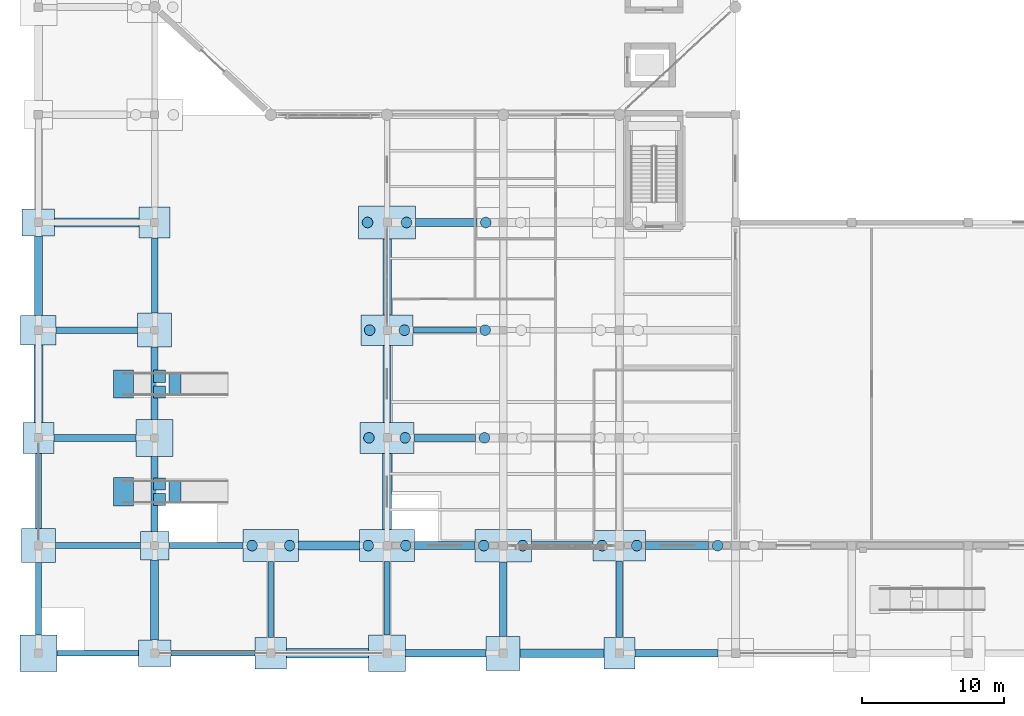
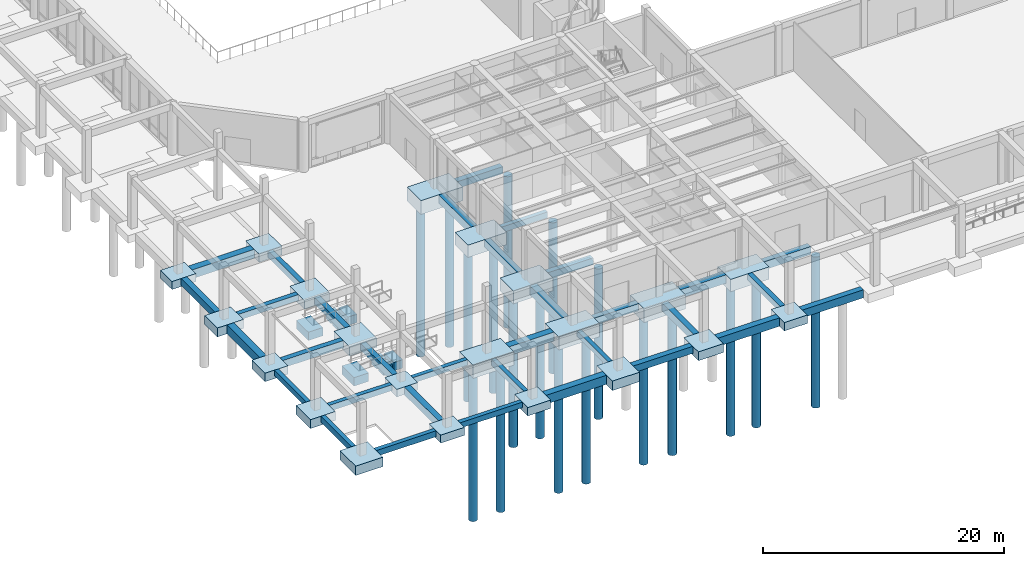
# One storey, part 1 of 64: 62 footings, 18 piles.
"""IFC4 building model written with IfcOpenShell, lengths in metres."""

from ifc_helpers import new_model, si_unit, direction, frame, origin, origin_2d, place, context, subcontext, project, spatial, rectangle, circle, extrude, material, material_profile, profile_set, type_object, element, save


model = new_model("IFC4")

# Units and contexts
model_context = context("Model", 3, precision=1e-05, world=origin(), true_north=direction((0.0, 1.0)))
body_context = subcontext(model_context, "Body", "Model", "MODEL_VIEW")
ifc_project = project(units=[si_unit("LENGTHUNIT", "METRE"), si_unit("AREAUNIT", "SQUARE_METRE"), si_unit("VOLUMEUNIT", "CUBIC_METRE"), si_unit("PLANEANGLEUNIT", "RADIAN"), si_unit("MASSUNIT", "GRAM", prefix="KILO")], contexts=[model_context])

# Site, building, storey
site_placement = place(None, origin())
site = spatial("IfcSite", under=ifc_project, at=site_placement, CompositionType="ELEMENT")
building_placement = place(site_placement, origin())
building = spatial("IfcBuilding", under=site, at=building_placement, Name="Qandaris Square Conservatory and Botanical Centre", CompositionType="ELEMENT")
storey_placement = place(building_placement, origin())
storey = spatial("IfcBuildingStorey", under=building, at=storey_placement, Name="L00", CompositionType="ELEMENT", Elevation=0.0)

# Piles
ifc_material_1 = material(Name="Concrete C50/60", Category="concrete")
ifc_material_profile_1 = material_profile(ifc_material_1, circle(Radius=0.375, at=origin_2d()), Name="PILE D750")
ifc_profile_set_1 = profile_set([ifc_material_profile_1], Name="Concrete C50/60")
pile_type = type_object("IfcPileType", Name="Bored Pile D750", PredefinedType="BORED", material=ifc_profile_set_1)
for number, where, z_axis, x_axis, name in (
    (1, (23.074951171875, 16.60009765625, -1.25), (0.0, 0.0, -1.0), (1.0, 0.0, 0.0), "Bored Pile B3-1"),
    (2, (25.72509765625, 16.60009765625, -1.25), (0.0, 0.0, -1.0), (1.0, 0.0, 0.0), "Bored Pile B3-2"),
    (3, (31.27490234375, 16.60009765625, -1.25), (0.0, 0.0, -1.0), (1.0, 0.0, 0.0), "Bored Pile B4-1"),
    (4, (33.925048828125, 16.60009765625, -1.25), (0.0, 0.0, -1.0), (1.0, 0.0, 0.0), "Bored Pile B4-2"),
):
    element("IfcPile", number, at=place(storey_placement, frame(where, z_axis=z_axis, x_axis=x_axis)), inside=storey, type_object=pile_type, Name=name, PredefinedType="BORED", context=body_context, shape_type="SweptSolid", body=[
        extrude(circle(Radius=0.375, at=origin_2d()), origin(), (0.0, 0.0, 1.0), 15.25),
    ])
for number, where, z_axis, x_axis, name in (
    (5, (31.324951171875, 24.199951171875, -1.199951171875), (0.0, 0.0, -1.0), (1.0, 0.0, 0.0), "Bored Pile C4-1"),
    (6, (33.875, 24.199951171875, -1.199951171875), (0.0, 0.0, -1.0), (1.0, 0.0, 0.0), "Bored Pile C4-2"),
):
    element("IfcPile", number, at=place(storey_placement, frame(where, z_axis=z_axis, x_axis=x_axis)), inside=storey, type_object=pile_type, Name=name, PredefinedType="BORED", context=body_context, shape_type="SweptSolid", body=[
        extrude(circle(Radius=0.375, at=origin_2d()), origin(), (0.0, 0.0, 1.0), 15.300048828125),
    ])
for number, where, z_axis, x_axis, name in (
    (7, (31.375, 31.800048828125, -1.14990234375), (0.0, 0.0, -1.0), (1.0, 0.0, 0.0), "Bored Pile D4-1"),
    (8, (33.824951171875, 31.800048828125, -1.14990234375), (0.0, 0.0, -1.0), (1.0, 0.0, 0.0), "Bored Pile D4-2"),
):
    element("IfcPile", number, at=place(storey_placement, frame(where, z_axis=z_axis, x_axis=x_axis)), inside=storey, type_object=pile_type, Name=name, PredefinedType="BORED", context=body_context, shape_type="SweptSolid", body=[
        extrude(circle(Radius=0.375, at=origin_2d()), origin(), (0.0, 0.0, 1.0), 15.35009765625),
    ])
for number, where, z_axis, x_axis, name in (
    (9, (31.22509765625, 39.39990234375, -1.300048828125), (0.0, 0.0, -1.0), (1.0, 0.0, 0.0), "Bored Pile E4-1"),
    (10, (33.97509765625, 39.39990234375, -1.300048828125), (0.0, 0.0, -1.0), (1.0, 0.0, 0.0), "Bored Pile E4-2"),
    (11, (39.425048828125, 16.60009765625, -1.300048828125), (0.0, 0.0, -1.0), (1.0, 0.0, 0.0), "Bored Pile B5-1"),
    (12, (42.175048828125, 16.60009765625, -1.300048828125), (0.0, 0.0, -1.0), (1.0, 0.0, 0.0), "Bored Pile B5-2"),
):
    element("IfcPile", number, at=place(storey_placement, frame(where, z_axis=z_axis, x_axis=x_axis)), inside=storey, type_object=pile_type, Name=name, PredefinedType="BORED", context=body_context, shape_type="SweptSolid", body=[
        extrude(circle(Radius=0.375, at=origin_2d()), origin(), (0.0, 0.0, 1.0), 15.199951171875),
    ])
pile_1_placement = place(storey_placement, frame((39.47509765625, 24.199951171875, -1.25), z_axis=(0.0, 0.0, -1.0), x_axis=(1.0, 0.0, 0.0)))
element("IfcPile", 13, at=pile_1_placement, inside=storey, type_object=pile_type, Name="Bored Pile C5-1", PredefinedType="BORED", context=body_context, shape_type="SweptSolid", body=[
    extrude(circle(Radius=0.375, at=origin_2d()), origin(), (0.0, 0.0, 1.0), 15.25),
])
pile_2_placement = place(storey_placement, frame((39.52490234375, 31.800048828125, -1.199951171875), z_axis=(0.0, 0.0, -1.0), x_axis=(1.0, 0.0, 0.0)))
element("IfcPile", 14, at=pile_2_placement, inside=storey, type_object=pile_type, Name="Bored Pile D5-1", PredefinedType="BORED", context=body_context, shape_type="SweptSolid", body=[
    extrude(circle(Radius=0.375, at=origin_2d()), origin(), (0.0, 0.0, 1.0), 15.300048828125),
])
for number, where, z_axis, x_axis, name in (
    (15, (39.574951171875, 39.39990234375, -1.14990234375), (0.0, 0.0, -1.0), (1.0, 0.0, 0.0), "Bored Pile E5-1"),
    (16, (47.77490234375, 16.60009765625, -1.14990234375), (0.0, 0.0, -1.0), (1.0, 0.0, 0.0), "Bored Pile B6-1"),
    (17, (50.22509765625, 16.60009765625, -1.14990234375), (0.0, 0.0, -1.0), (1.0, 0.0, 0.0), "Bored Pile B6-2"),
):
    element("IfcPile", number, at=place(storey_placement, frame(where, z_axis=z_axis, x_axis=x_axis)), inside=storey, type_object=pile_type, Name=name, PredefinedType="BORED", context=body_context, shape_type="SweptSolid", body=[
        extrude(circle(Radius=0.375, at=origin_2d()), origin(), (0.0, 0.0, 1.0), 15.35009765625),
    ])
pile_3_placement = place(storey_placement, frame((55.925048828125, 16.60009765625, -1.199951171875), z_axis=(0.0, 0.0, -1.0), x_axis=(1.0, 0.0, 0.0)))
element("IfcPile", 18, at=pile_3_placement, inside=storey, type_object=pile_type, Name="Bored Pile B7-1", PredefinedType="BORED", context=body_context, shape_type="SweptSolid", body=[
    extrude(circle(Radius=0.375, at=origin_2d()), origin(), (0.0, 0.0, 1.0), 15.300048828125),
])

# Footings
ifc_material_2 = material(Name="Concrete C40/50", Category="concrete")
ifc_material_profile_2 = material_profile(ifc_material_2, rectangle(XDim=0.60009765625, YDim=0.85009765625, at=origin_2d()), Name="FB 600x850")
ifc_profile_set_2 = profile_set([ifc_material_profile_2], Name="Concrete C40/50")
footing_type_1 = type_object("IfcFootingType", Name="RC Ground Tie Beam FB-01", PredefinedType="FOOTING_BEAM", material=ifc_profile_set_2)
footing_1_placement = place(storey_placement, frame((42.0, 9.0, -0.425048828125), z_axis=(1.0, 0.0, 0.0), x_axis=(0.0, 1.0, 0.0)))
element("IfcFooting", 19, at=footing_1_placement, inside=storey, type_object=footing_type_1, Name="Ground Tie Beam FB-01-191", PredefinedType="FOOTING_BEAM", context=body_context, shape_type="SweptSolid", body=[
    extrude(rectangle(XDim=0.60009765625, YDim=0.85009765625, at=origin_2d()), origin(), (0.0, 0.0, 1.0), 5.89990234375),
])
footing_2_placement = place(storey_placement, frame((42.800048828125, 16.60009765625, -0.425048828125), z_axis=(1.0, 0.0, 0.0), x_axis=(0.0, 1.0, 0.0)))
element("IfcFooting", 20, at=footing_2_placement, inside=storey, type_object=footing_type_1, Name="Ground Tie Beam FB-01-211", PredefinedType="FOOTING_BEAM", context=body_context, shape_type="SweptSolid", body=[
    extrude(rectangle(XDim=0.60009765625, YDim=0.85009765625, at=origin_2d()), origin(), (0.0, 0.0, 1.0), 4.349853515625),
])
footing_3_placement = place(storey_placement, frame((32.60009765625, 32.875, -0.425048828125), z_axis=(0.0, 1.0, 0.0), x_axis=(-1.0, 0.0, 0.0)))
element("IfcFooting", 21, at=footing_3_placement, inside=storey, type_object=footing_type_1, Name="Ground Tie Beam FB-01-311", PredefinedType="FOOTING_BEAM", context=body_context, shape_type="SweptSolid", body=[
    extrude(rectangle(XDim=0.60009765625, YDim=0.85009765625, at=origin_2d()), origin(), (0.0, 0.0, 1.0), 5.375),
])
ifc_material_profile_3 = material_profile(ifc_material_2, rectangle(XDim=0.550048828125, YDim=0.800048828125, at=origin_2d()), Name="FB 550x800")
ifc_profile_set_3 = profile_set([ifc_material_profile_3], Name="Concrete C40/50")
footing_type_2 = type_object("IfcFootingType", Name="RC Ground Tie Beam FB-02", PredefinedType="FOOTING_BEAM", material=ifc_profile_set_3)
footing_4_placement = place(storey_placement, frame((50.10009765625, 9.0, -0.39990234375), z_axis=(1.0, 0.0, 0.0), x_axis=(0.0, 1.0, 0.0)))
element("IfcFooting", 22, at=footing_4_placement, inside=storey, type_object=footing_type_2, Name="Ground Tie Beam FB-02-192", PredefinedType="FOOTING_BEAM", context=body_context, shape_type="SweptSolid", body=[
    extrude(rectangle(XDim=0.550048828125, YDim=0.800048828125, at=origin_2d()), origin(), (0.0, 0.0, 1.0), 5.849853515625),
])
footing_5_placement = place(storey_placement, frame((50.85009765625, 16.60009765625, -0.39990234375), z_axis=(1.0, 0.0, 0.0), x_axis=(0.0, 1.0, 0.0)))
element("IfcFooting", 23, at=footing_5_placement, inside=storey, type_object=footing_type_2, Name="Ground Tie Beam FB-02-212", PredefinedType="FOOTING_BEAM", context=body_context, shape_type="SweptSolid", body=[
    extrude(rectangle(XDim=0.550048828125, YDim=0.800048828125, at=origin_2d()), origin(), (0.0, 0.0, 1.0), 4.449951171875),
])
footing_6_placement = place(storey_placement, frame((16.199951171875, 9.949951171875, -0.39990234375), z_axis=(0.0, 1.0, 0.0), x_axis=(-1.0, 0.0, 0.0)))
element("IfcFooting", 24, at=footing_6_placement, inside=storey, type_object=footing_type_2, Name="Ground Tie Beam FB-02-292", PredefinedType="FOOTING_BEAM", context=body_context, shape_type="SweptSolid", body=[
    extrude(rectangle(XDim=0.550048828125, YDim=0.800048828125, at=origin_2d()), origin(), (0.0, 0.0, 1.0), 5.650146484375),
])
footing_7_placement = place(storey_placement, frame((40.800048828125, 10.199951171875, -0.39990234375), z_axis=(0.0, 1.0, 0.0), x_axis=(-1.0, 0.0, 0.0)))
element("IfcFooting", 25, at=footing_7_placement, inside=storey, type_object=footing_type_2, Name="Ground Tie Beam FB-02-312", PredefinedType="FOOTING_BEAM", context=body_context, shape_type="SweptSolid", body=[
    extrude(rectangle(XDim=0.550048828125, YDim=0.800048828125, at=origin_2d()), origin(), (0.0, 0.0, 1.0), 5.25),
])
ifc_material_profile_4 = material_profile(ifc_material_2, rectangle(XDim=0.5, YDim=0.75, at=origin_2d()), Name="FB 500x750")
ifc_profile_set_4 = profile_set([ifc_material_profile_4], Name="Concrete C40/50")
footing_type_3 = type_object("IfcFootingType", Name="RC Ground Tie Beam FB-03", PredefinedType="FOOTING_BEAM", material=ifc_profile_set_4)
footing_8_placement = place(storey_placement, frame((9.10009765625, 24.199951171875, -0.375), z_axis=(1.0, 0.0, 0.0), x_axis=(0.0, 1.0, 0.0)))
element("IfcFooting", 26, at=footing_8_placement, inside=storey, type_object=footing_type_3, Name="Ground Tie Beam FB-03-213", PredefinedType="FOOTING_BEAM", context=body_context, shape_type="SweptSolid", body=[
    extrude(rectangle(XDim=0.5, YDim=0.75, at=origin_2d()), origin(), (0.0, 0.0, 1.0), 5.7998046875),
])
footing_9_placement = place(storey_placement, frame((16.199951171875, 17.60009765625, -0.375), z_axis=(0.0, 1.0, 0.0), x_axis=(-1.0, 0.0, 0.0)))
element("IfcFooting", 27, at=footing_9_placement, inside=storey, type_object=footing_type_3, Name="Ground Tie Beam FB-03-293", PredefinedType="FOOTING_BEAM", context=body_context, shape_type="SweptSolid", body=[
    extrude(rectangle(XDim=0.5, YDim=0.75, at=origin_2d()), origin(), (0.0, 0.0, 1.0), 5.2998046875),
])
ifc_material_profile_5 = material_profile(ifc_material_2, rectangle(XDim=0.5, YDim=0.699951171875, at=origin_2d()), Name="FB 500x700")
ifc_profile_set_5 = profile_set([ifc_material_profile_5], Name="Concrete C40/50")
footing_type_4 = type_object("IfcFootingType", Name="RC Ground Tie Beam FB-04", PredefinedType="FOOTING_BEAM", material=ifc_profile_set_5)
footing_10_placement = place(storey_placement, frame((34.5, 24.199951171875, -0.35009765625), z_axis=(1.0, 0.0, 0.0), x_axis=(0.0, 1.0, 0.0)))
element("IfcFooting", 28, at=footing_10_placement, inside=storey, type_object=footing_type_4, Name="Ground Tie Beam FB-04-214", PredefinedType="FOOTING_BEAM", context=body_context, shape_type="SweptSolid", body=[
    extrude(rectangle(XDim=0.5, YDim=0.699951171875, at=origin_2d()), origin(), (0.0, 0.0, 1.0), 4.35009765625),
])
footing_11_placement = place(storey_placement, frame((16.199951171875, 25.5, -0.35009765625), z_axis=(0.0, 1.0, 0.0), x_axis=(-1.0, 0.0, 0.0)))
element("IfcFooting", 29, at=footing_11_placement, inside=storey, type_object=footing_type_4, Name="Ground Tie Beam FB-04-294", PredefinedType="FOOTING_BEAM", context=body_context, shape_type="SweptSolid", body=[
    extrude(rectangle(XDim=0.5, YDim=0.699951171875, at=origin_2d()), origin(), (0.0, 0.0, 1.0), 5.10009765625),
])
ifc_material_profile_6 = material_profile(ifc_material_2, rectangle(XDim=0.449951171875, YDim=0.64990234375, at=origin_2d()), Name="FB 450x650")
ifc_profile_set_6 = profile_set([ifc_material_profile_6], Name="Concrete C40/50")
footing_type_5 = type_object("IfcFootingType", Name="RC Ground Tie Beam FB-05", PredefinedType="FOOTING_BEAM", material=ifc_profile_set_6)
footing_12_placement = place(storey_placement, frame((16.199951171875, 33.0, -0.324951171875), z_axis=(0.0, 1.0, 0.0), x_axis=(-1.0, 0.0, 0.0)))
element("IfcFooting", 30, at=footing_12_placement, inside=storey, type_object=footing_type_5, Name="Ground Tie Beam FB-05-295", PredefinedType="FOOTING_BEAM", context=body_context, shape_type="SweptSolid", body=[
    extrude(rectangle(XDim=0.449951171875, YDim=0.64990234375, at=origin_2d()), origin(), (0.0, 0.0, 1.0), 5.300048828125),
])
ifc_material_profile_7 = material_profile(ifc_material_2, rectangle(XDim=0.449951171875, YDim=0.60009765625, at=origin_2d()), Name="FB 450x600")
ifc_profile_set_7 = profile_set([ifc_material_profile_7], Name="Concrete C40/50")
footing_type_6 = type_object("IfcFootingType", Name="RC Ground Tie Beam FB-06", PredefinedType="FOOTING_BEAM", material=ifc_profile_set_7)
footing_13_placement = place(storey_placement, frame((9.25, 31.800048828125, -0.300048828125), z_axis=(1.0, 0.0, 0.0), x_axis=(0.0, 1.0, 0.0)))
element("IfcFooting", 31, at=footing_13_placement, inside=storey, type_object=footing_type_6, Name="Ground Tie Beam FB-06-216", PredefinedType="FOOTING_BEAM", context=body_context, shape_type="SweptSolid", body=[
    extrude(rectangle(XDim=0.449951171875, YDim=0.60009765625, at=origin_2d()), origin(), (0.0, 0.0, 1.0), 5.75),
])
footing_14_placement = place(storey_placement, frame((49.0, 10.10009765625, -0.300048828125), z_axis=(0.0, 1.0, 0.0), x_axis=(-1.0, 0.0, 0.0)))
element("IfcFooting", 32, at=footing_14_placement, inside=storey, type_object=footing_type_6, Name="Ground Tie Beam FB-06-316", PredefinedType="FOOTING_BEAM", context=body_context, shape_type="SweptSolid", body=[
    extrude(rectangle(XDim=0.449951171875, YDim=0.60009765625, at=origin_2d()), origin(), (0.0, 0.0, 1.0), 5.4248046875),
])
ifc_material_profile_8 = material_profile(ifc_material_2, rectangle(XDim=0.39990234375, YDim=0.60009765625, at=origin_2d()), Name="FB 400x600")
ifc_profile_set_8 = profile_set([ifc_material_profile_8], Name="Concrete C40/50")
footing_type_7 = type_object("IfcFootingType", Name="RC Ground Tie Beam FB-07", PredefinedType="FOOTING_BEAM", material=ifc_profile_set_8)
footing_15_placement = place(storey_placement, frame((9.300048828125, 9.0, -0.300048828125), z_axis=(1.0, 0.0, 0.0), x_axis=(0.0, 1.0, 0.0)))
element("IfcFooting", 33, at=footing_15_placement, inside=storey, type_object=footing_type_7, Name="Ground Tie Beam FB-07-187", PredefinedType="FOOTING_BEAM", context=body_context, shape_type="SweptSolid", body=[
    extrude(rectangle(XDim=0.39990234375, YDim=0.60009765625, at=origin_2d()), origin(), (0.0, 0.0, 1.0), 5.75),
])
footing_16_placement = place(storey_placement, frame((9.199951171875, 16.60009765625, -0.300048828125), z_axis=(1.0, 0.0, 0.0), x_axis=(0.0, 1.0, 0.0)))
element("IfcFooting", 34, at=footing_16_placement, inside=storey, type_object=footing_type_7, Name="Ground Tie Beam FB-07-207", PredefinedType="FOOTING_BEAM", context=body_context, shape_type="SweptSolid", body=[
    extrude(rectangle(XDim=0.39990234375, YDim=0.60009765625, at=origin_2d()), origin(), (0.0, 0.0, 1.0), 6.0),
])
footing_17_placement = place(storey_placement, frame((34.449951171875, 31.800048828125, -0.300048828125), z_axis=(1.0, 0.0, 0.0), x_axis=(0.0, 1.0, 0.0)))
element("IfcFooting", 35, at=footing_17_placement, inside=storey, type_object=footing_type_7, Name="Ground Tie Beam FB-07-217", PredefinedType="FOOTING_BEAM", context=body_context, shape_type="SweptSolid", body=[
    extrude(rectangle(XDim=0.39990234375, YDim=0.60009765625, at=origin_2d()), origin(), (0.0, 0.0, 1.0), 4.449951171875),
])
footing_18_placement = place(storey_placement, frame((8.0, 10.300048828125, -0.300048828125), z_axis=(0.0, 1.0, 0.0), x_axis=(-1.0, 0.0, 0.0)))
element("IfcFooting", 36, at=footing_18_placement, inside=storey, type_object=footing_type_7, Name="Ground Tie Beam FB-07-277", PredefinedType="FOOTING_BEAM", context=body_context, shape_type="SweptSolid", body=[
    extrude(rectangle(XDim=0.39990234375, YDim=0.60009765625, at=origin_2d()), origin(), (0.0, 0.0, 1.0), 5.099853515625),
])
footing_19_placement = place(storey_placement, frame((24.39990234375, 10.10009765625, -0.300048828125), z_axis=(0.0, 1.0, 0.0), x_axis=(-1.0, 0.0, 0.0)))
element("IfcFooting", 37, at=footing_19_placement, inside=storey, type_object=footing_type_7, Name="Ground Tie Beam FB-07-307", PredefinedType="FOOTING_BEAM", context=body_context, shape_type="SweptSolid", body=[
    extrude(rectangle(XDim=0.39990234375, YDim=0.60009765625, at=origin_2d()), origin(), (0.0, 0.0, 1.0), 5.375),
])
ifc_material_profile_9 = material_profile(ifc_material_2, rectangle(XDim=0.39990234375, YDim=0.550048828125, at=origin_2d()), Name="FB 400x550")
ifc_profile_set_9 = profile_set([ifc_material_profile_9], Name="Concrete C40/50")
footing_type_8 = type_object("IfcFootingType", Name="RC Ground Tie Beam FB-08", PredefinedType="FOOTING_BEAM", material=ifc_profile_set_9)
footing_20_placement = place(storey_placement, frame((17.35009765625, 9.0, -0.27490234375), z_axis=(1.0, 0.0, 0.0), x_axis=(0.0, 1.0, 0.0)))
element("IfcFooting", 38, at=footing_20_placement, inside=storey, type_object=footing_type_8, Name="Ground Tie Beam FB-08-188", PredefinedType="FOOTING_BEAM", context=body_context, shape_type="SweptSolid", body=[
    extrude(rectangle(XDim=0.39990234375, YDim=0.550048828125, at=origin_2d()), origin(), (0.0, 0.0, 1.0), 5.949951171875),
])
footing_21_placement = place(storey_placement, frame((17.199951171875, 16.60009765625, -0.27490234375), z_axis=(1.0, 0.0, 0.0), x_axis=(0.0, 1.0, 0.0)))
element("IfcFooting", 39, at=footing_21_placement, inside=storey, type_object=footing_type_8, Name="Ground Tie Beam FB-08-208", PredefinedType="FOOTING_BEAM", context=body_context, shape_type="SweptSolid", body=[
    extrude(rectangle(XDim=0.39990234375, YDim=0.550048828125, at=origin_2d()), origin(), (0.0, 0.0, 1.0), 5.25),
])
footing_22_placement = place(storey_placement, frame((8.0, 17.800048828125, -0.27490234375), z_axis=(0.0, 1.0, 0.0), x_axis=(-1.0, 0.0, 0.0)))
element("IfcFooting", 40, at=footing_22_placement, inside=storey, type_object=footing_type_8, Name="Ground Tie Beam FB-08-278", PredefinedType="FOOTING_BEAM", context=body_context, shape_type="SweptSolid", body=[
    extrude(rectangle(XDim=0.39990234375, YDim=0.550048828125, at=origin_2d()), origin(), (0.0, 0.0, 1.0), 5.300048828125),
])
footing_23_placement = place(storey_placement, frame((32.60009765625, 10.300048828125, -0.27490234375), z_axis=(0.0, 1.0, 0.0), x_axis=(-1.0, 0.0, 0.0)))
element("IfcFooting", 41, at=footing_23_placement, inside=storey, type_object=footing_type_8, Name="Ground Tie Beam FB-08-308", PredefinedType="FOOTING_BEAM", context=body_context, shape_type="SweptSolid", body=[
    extrude(rectangle(XDim=0.39990234375, YDim=0.550048828125, at=origin_2d()), origin(), (0.0, 0.0, 1.0), 5.175048828125),
])
ifc_material_profile_10 = material_profile(ifc_material_2, rectangle(XDim=0.64990234375, YDim=0.89990234375, at=origin_2d()), Name="FB 650x900")
ifc_profile_set_10 = profile_set([ifc_material_profile_10], Name="Concrete C40/50")
footing_type_9 = type_object("IfcFootingType", Name="RC Ground Tie Beam FB-09", PredefinedType="FOOTING_BEAM", material=ifc_profile_set_10)
footing_24_placement = place(storey_placement, frame((25.5, 9.0, -0.449951171875), z_axis=(1.0, 0.0, 0.0), x_axis=(0.0, 1.0, 0.0)))
element("IfcFooting", 42, at=footing_24_placement, inside=storey, type_object=footing_type_9, Name="Ground Tie Beam FB-09-189", PredefinedType="FOOTING_BEAM", context=body_context, shape_type="SweptSolid", body=[
    extrude(rectangle(XDim=0.64990234375, YDim=0.89990234375, at=origin_2d()), origin(), (0.0, 0.0, 1.0), 5.800048828125),
])
footing_25_placement = place(storey_placement, frame((26.35009765625, 16.60009765625, -0.449951171875), z_axis=(1.0, 0.0, 0.0), x_axis=(0.0, 1.0, 0.0)))
element("IfcFooting", 43, at=footing_25_placement, inside=storey, type_object=footing_type_9, Name="Ground Tie Beam FB-09-209", PredefinedType="FOOTING_BEAM", context=body_context, shape_type="SweptSolid", body=[
    extrude(rectangle(XDim=0.64990234375, YDim=0.89990234375, at=origin_2d()), origin(), (0.0, 0.0, 1.0), 4.2998046875),
])
footing_26_placement = place(storey_placement, frame((9.14990234375, 39.39990234375, -0.449951171875), z_axis=(1.0, 0.0, 0.0), x_axis=(0.0, 1.0, 0.0)))
element("IfcFooting", 44, at=footing_26_placement, inside=storey, type_object=footing_type_9, Name="Ground Tie Beam FB-09-219", PredefinedType="FOOTING_BEAM", context=body_context, shape_type="SweptSolid", body=[
    extrude(rectangle(XDim=0.64990234375, YDim=0.89990234375, at=origin_2d()), origin(), (0.0, 0.0, 1.0), 5.9501953125),
])
footing_27_placement = place(storey_placement, frame((8.0, 25.300048828125, -0.449951171875), z_axis=(0.0, 1.0, 0.0), x_axis=(-1.0, 0.0, 0.0)))
element("IfcFooting", 45, at=footing_27_placement, inside=storey, type_object=footing_type_9, Name="Ground Tie Beam FB-09-279", PredefinedType="FOOTING_BEAM", context=body_context, shape_type="SweptSolid", body=[
    extrude(rectangle(XDim=0.64990234375, YDim=0.89990234375, at=origin_2d()), origin(), (0.0, 0.0, 1.0), 5.449951171875),
])
footing_28_placement = place(storey_placement, frame((32.60009765625, 17.72509765625, -0.449951171875), z_axis=(0.0, 1.0, 0.0), x_axis=(-1.0, 0.0, 0.0)))
element("IfcFooting", 46, at=footing_28_placement, inside=storey, type_object=footing_type_9, Name="Ground Tie Beam FB-09-309", PredefinedType="FOOTING_BEAM", context=body_context, shape_type="SweptSolid", body=[
    extrude(rectangle(XDim=0.64990234375, YDim=0.89990234375, at=origin_2d()), origin(), (0.0, 0.0, 1.0), 5.375),
])
ifc_material_profile_11 = material_profile(ifc_material_2, rectangle(XDim=0.550048828125, YDim=0.699951171875, at=origin_2d()), Name="FB 550x700")
ifc_profile_set_11 = profile_set([ifc_material_profile_11], Name="Concrete C40/50")
footing_type_10 = type_object("IfcFootingType", Name="RC Ground Tie Beam FB-10", PredefinedType="FOOTING_BEAM", material=ifc_profile_set_11)
footing_29_placement = place(storey_placement, frame((33.89990234375, 9.0, -0.35009765625), z_axis=(1.0, 0.0, 0.0), x_axis=(0.0, 1.0, 0.0)))
element("IfcFooting", 47, at=footing_29_placement, inside=storey, type_object=footing_type_10, Name="Ground Tie Beam FB-10-190", PredefinedType="FOOTING_BEAM", context=body_context, shape_type="SweptSolid", body=[
    extrude(rectangle(XDim=0.550048828125, YDim=0.699951171875, at=origin_2d()), origin(), (0.0, 0.0, 1.0), 5.7001953125),
])
footing_30_placement = place(storey_placement, frame((34.550048828125, 16.60009765625, -0.35009765625), z_axis=(1.0, 0.0, 0.0), x_axis=(0.0, 1.0, 0.0)))
element("IfcFooting", 48, at=footing_30_placement, inside=storey, type_object=footing_type_10, Name="Ground Tie Beam FB-10-210", PredefinedType="FOOTING_BEAM", context=body_context, shape_type="SweptSolid", body=[
    extrude(rectangle(XDim=0.550048828125, YDim=0.699951171875, at=origin_2d()), origin(), (0.0, 0.0, 1.0), 4.25),
])
footing_31_placement = place(storey_placement, frame((34.60009765625, 39.39990234375, -0.35009765625), z_axis=(1.0, 0.0, 0.0), x_axis=(0.0, 1.0, 0.0)))
element("IfcFooting", 49, at=footing_31_placement, inside=storey, type_object=footing_type_10, Name="Ground Tie Beam FB-10-220", PredefinedType="FOOTING_BEAM", context=body_context, shape_type="SweptSolid", body=[
    extrude(rectangle(XDim=0.550048828125, YDim=0.699951171875, at=origin_2d()), origin(), (0.0, 0.0, 1.0), 4.349853515625),
])
footing_32_placement = place(storey_placement, frame((8.0, 32.85009765625, -0.35009765625), z_axis=(0.0, 1.0, 0.0), x_axis=(-1.0, 0.0, 0.0)))
element("IfcFooting", 50, at=footing_32_placement, inside=storey, type_object=footing_type_10, Name="Ground Tie Beam FB-10-280", PredefinedType="FOOTING_BEAM", context=body_context, shape_type="SweptSolid", body=[
    extrude(rectangle(XDim=0.550048828125, YDim=0.699951171875, at=origin_2d()), origin(), (0.0, 0.0, 1.0), 5.599853515625),
])
footing_33_placement = place(storey_placement, frame((32.60009765625, 25.300048828125, -0.35009765625), z_axis=(0.0, 1.0, 0.0), x_axis=(-1.0, 0.0, 0.0)))
element("IfcFooting", 51, at=footing_33_placement, inside=storey, type_object=footing_type_10, Name="Ground Tie Beam FB-10-310", PredefinedType="FOOTING_BEAM", context=body_context, shape_type="SweptSolid", body=[
    extrude(rectangle(XDim=0.550048828125, YDim=0.699951171875, at=origin_2d()), origin(), (0.0, 0.0, 1.0), 5.425048828125),
])
footing_type_11 = type_object("IfcFootingType", Name="RC Pad Footing PF-01", PredefinedType="PAD_FOOTING", material=ifc_material_2)
for number, where, z_axis, x_axis, name in (
    (52, (8.0, 9.0, -0.9501953125), (0.0, 0.0, 1.0), (1.0, 0.0, 0.0), "Pad Footing PF-01 at A1"),
    (53, (16.199951171875, 24.199951171875, -0.9501953125), (0.0, 0.0, 1.0), (1.0, 0.0, 0.0), "Pad Footing PF-01 at C2"),
    (54, (32.60009765625, 9.0, -0.9501953125), (0.0, 0.0, 1.0), (1.0, 0.0, 0.0), "Pad Footing PF-01 at A4"),
):
    element("IfcFooting", number, at=place(storey_placement, frame(where, z_axis=z_axis, x_axis=x_axis)), inside=storey, type_object=footing_type_11, Name=name, PredefinedType="PAD_FOOTING", context=body_context, shape_type="SweptSolid", body=[
        extrude(rectangle(XDim=2.60009765625, YDim=2.60009765625, at=origin_2d()), origin(), (0.0, 0.0, 1.0), 0.949951171875),
    ])
footing_type_12 = type_object("IfcFootingType", Name="RC Pad Footing PF-02", PredefinedType="PAD_FOOTING", material=ifc_material_2)
for number, where, z_axis, x_axis, name in (
    (55, (8.0, 16.60009765625, -0.89990234375), (0.0, 0.0, 1.0), (1.0, 0.0, 0.0), "Pad Footing PF-02 at B1"),
    (56, (16.199951171875, 31.800048828125, -0.89990234375), (0.0, 0.0, 1.0), (1.0, 0.0, 0.0), "Pad Footing PF-02 at D2"),
    (57, (40.800048828125, 9.0, -0.89990234375), (0.0, 0.0, 1.0), (1.0, 0.0, 0.0), "Pad Footing PF-02 at A5"),
):
    element("IfcFooting", number, at=place(storey_placement, frame(where, z_axis=z_axis, x_axis=x_axis)), inside=storey, type_object=footing_type_12, Name=name, PredefinedType="PAD_FOOTING", context=body_context, shape_type="SweptSolid", body=[
        extrude(rectangle(XDim=2.39990234375, YDim=2.39990234375, at=origin_2d()), origin(), (0.0, 0.0, 1.0), 0.89990234375),
    ])
footing_type_13 = type_object("IfcFootingType", Name="RC Pad Footing PF-03", PredefinedType="PAD_FOOTING", material=ifc_material_2)
for number, where, z_axis, x_axis, name in (
    (58, (8.0, 24.199951171875, -0.85009765625), (0.0, 0.0, 1.0), (1.0, 0.0, 0.0), "Pad Footing PF-03 at C1"),
    (59, (16.199951171875, 39.39990234375, -0.85009765625), (0.0, 0.0, 1.0), (1.0, 0.0, 0.0), "Pad Footing PF-03 at E2"),
    (60, (24.39990234375, 9.0, -0.85009765625), (0.0, 0.0, 1.0), (1.0, 0.0, 0.0), "Pad Footing PF-03 at A3"),
    (61, (49.0, 9.0, -0.85009765625), (0.0, 0.0, 1.0), (1.0, 0.0, 0.0), "Pad Footing PF-03 at A6"),
):
    element("IfcFooting", number, at=place(storey_placement, frame(where, z_axis=z_axis, x_axis=x_axis)), inside=storey, type_object=footing_type_13, Name=name, PredefinedType="PAD_FOOTING", context=body_context, shape_type="SweptSolid", body=[
        extrude(rectangle(XDim=2.199951171875, YDim=2.199951171875, at=origin_2d()), origin(), (0.0, 0.0, 1.0), 0.85009765625),
    ])
footing_34_placement = place(storey_placement, frame((14.0, 20.39990234375, -1.300048828125), z_axis=(0.0, 0.0, 1.0), x_axis=(1.0, 0.0, 0.0)))
element("IfcFooting", 62, at=footing_34_placement, inside=storey, type_object=footing_type_13, Name="Ramp Foundation PAD-RMP-01A", PredefinedType="PAD_FOOTING", context=body_context, shape_type="SweptSolid", body=[
    extrude(rectangle(XDim=1.39990234375, YDim=2.0, at=origin_2d()), origin(), (0.0, 0.0, 1.0), 0.85009765625),
])
for number, where, z_axis, x_axis, name in (
    (63, (16.550048828125, 19.85009765625, -1.260009765625), (0.0, 0.0, 1.0), (1.0, 0.0, 0.0), "Ramp Foundation PAD-RMP-01B"),
    (64, (16.550048828125, 20.949951171875, -1.260009765625), (0.0, 0.0, 1.0), (1.0, 0.0, 0.0), "Ramp Foundation PAD-RMP-01C"),
):
    element("IfcFooting", number, at=place(storey_placement, frame(where, z_axis=z_axis, x_axis=x_axis)), inside=storey, type_object=footing_type_13, Name=name, PredefinedType="PAD_FOOTING", context=body_context, shape_type="SweptSolid", body=[
        extrude(rectangle(XDim=0.85009765625, YDim=0.85009765625, at=origin_2d()), origin(), (0.0, 0.0, 1.0), 0.85009765625),
    ])
footing_35_placement = place(storey_placement, frame((17.64990234375, 20.39990234375, -1.260009765625), z_axis=(0.0, 0.0, 1.0), x_axis=(1.0, 0.0, 0.0)))
element("IfcFooting", 65, at=footing_35_placement, inside=storey, type_object=footing_type_13, Name="Ramp Foundation PAD-RMP-01D", PredefinedType="PAD_FOOTING", context=body_context, shape_type="SweptSolid", body=[
    extrude(rectangle(XDim=0.85009765625, YDim=1.60009765625, at=origin_2d()), origin(), (0.0, 0.0, 1.0), 0.85009765625),
])
footing_36_placement = place(storey_placement, frame((14.0, 28.0, -1.300048828125), z_axis=(0.0, 0.0, 1.0), x_axis=(1.0, 0.0, 0.0)))
element("IfcFooting", 66, at=footing_36_placement, inside=storey, type_object=footing_type_13, Name="Ramp Foundation PAD-RMP-02A", PredefinedType="PAD_FOOTING", context=body_context, shape_type="SweptSolid", body=[
    extrude(rectangle(XDim=1.39990234375, YDim=2.0, at=origin_2d()), origin(), (0.0, 0.0, 1.0), 0.85009765625),
])
for number, where, z_axis, x_axis, name in (
    (67, (16.550048828125, 27.449951171875, -1.260009765625), (0.0, 0.0, 1.0), (1.0, 0.0, 0.0), "Ramp Foundation PAD-RMP-02B"),
    (68, (16.550048828125, 28.550048828125, -1.260009765625), (0.0, 0.0, 1.0), (1.0, 0.0, 0.0), "Ramp Foundation PAD-RMP-02C"),
):
    element("IfcFooting", number, at=place(storey_placement, frame(where, z_axis=z_axis, x_axis=x_axis)), inside=storey, type_object=footing_type_13, Name=name, PredefinedType="PAD_FOOTING", context=body_context, shape_type="SweptSolid", body=[
        extrude(rectangle(XDim=0.85009765625, YDim=0.85009765625, at=origin_2d()), origin(), (0.0, 0.0, 1.0), 0.85009765625),
    ])
footing_37_placement = place(storey_placement, frame((17.64990234375, 28.0, -1.260009765625), z_axis=(0.0, 0.0, 1.0), x_axis=(1.0, 0.0, 0.0)))
element("IfcFooting", 69, at=footing_37_placement, inside=storey, type_object=footing_type_13, Name="Ramp Foundation PAD-RMP-02D", PredefinedType="PAD_FOOTING", context=body_context, shape_type="SweptSolid", body=[
    extrude(rectangle(XDim=0.85009765625, YDim=1.60009765625, at=origin_2d()), origin(), (0.0, 0.0, 1.0), 0.85009765625),
])
footing_type_14 = type_object("IfcFootingType", Name="RC Pad Footing PF-04", PredefinedType="PAD_FOOTING", material=ifc_material_2)
footing_38_placement = place(storey_placement, frame((8.0, 31.800048828125, -0.89990234375), z_axis=(0.0, 0.0, 1.0), x_axis=(1.0, 0.0, 0.0)))
element("IfcFooting", 70, at=footing_38_placement, inside=storey, type_object=footing_type_14, Name="Pad Footing PF-04 at D1", PredefinedType="PAD_FOOTING", context=body_context, shape_type="SweptSolid", body=[
    extrude(rectangle(XDim=2.5, YDim=2.10009765625, at=origin_2d()), origin(), (0.0, 0.0, 1.0), 0.89990234375),
])
footing_type_15 = type_object("IfcFootingType", Name="RC Pad Footing PF-05", PredefinedType="PAD_FOOTING", material=ifc_material_2)
for number, where, z_axis, x_axis, name in (
    (71, (8.0, 39.39990234375, -0.7998046875), (0.0, 0.0, 1.0), (1.0, 0.0, 0.0), "Pad Footing PF-05 at E1"),
    (72, (16.199951171875, 9.0, -0.7998046875), (0.0, 0.0, 1.0), (1.0, 0.0, 0.0), "Pad Footing PF-05 at A2"),
):
    element("IfcFooting", number, at=place(storey_placement, frame(where, z_axis=z_axis, x_axis=x_axis)), inside=storey, type_object=footing_type_15, Name=name, PredefinedType="PAD_FOOTING", context=body_context, shape_type="SweptSolid", body=[
        extrude(rectangle(XDim=2.300048828125, YDim=1.89990234375, at=origin_2d()), origin(), (0.0, 0.0, 1.0), 0.800048828125),
    ])
footing_type_16 = type_object("IfcFootingType", Name="RC Pad Footing PF-06", PredefinedType="PAD_FOOTING", material=ifc_material_2)
footing_39_placement = place(storey_placement, frame((16.199951171875, 16.60009765625, -0.75), z_axis=(0.0, 0.0, 1.0), x_axis=(1.0, 0.0, 0.0)))
element("IfcFooting", 73, at=footing_39_placement, inside=storey, type_object=footing_type_16, Name="Pad Footing PF-06 at B2", PredefinedType="PAD_FOOTING", context=body_context, shape_type="SweptSolid", body=[
    extrude(rectangle(XDim=2.0, YDim=2.0, at=origin_2d()), origin(), (0.0, 0.0, 1.0), 0.75),
])
footing_type_17 = type_object("IfcFootingType", Name="RC Pile Cap PC-09", PredefinedType="PILE_CAP", material=ifc_material_2)
for number, where, z_axis, x_axis, name in (
    (74, (32.60009765625, 39.39990234375, -1.39990234375), (0.0, 0.0, 1.0), (1.0, 0.0, 0.0), "Pile Cap PC-09 at E4"),
    (75, (40.800048828125, 16.60009765625, -1.39990234375), (0.0, 0.0, 1.0), (1.0, 0.0, 0.0), "Pile Cap PC-09 at B5"),
):
    element("IfcFooting", number, at=place(storey_placement, frame(where, z_axis=z_axis, x_axis=x_axis)), inside=storey, type_object=footing_type_17, Name=name, PredefinedType="PILE_CAP", context=body_context, shape_type="SweptSolid", body=[
        extrude(rectangle(XDim=4.0, YDim=2.300048828125, at=origin_2d()), origin(), (0.0, 0.0, 1.0), 1.39990234375),
    ])
footing_type_18 = type_object("IfcFootingType", Name="RC Pile Cap PC-10", PredefinedType="PILE_CAP", material=ifc_material_2)
for number, where, z_axis, x_axis, name in (
    (76, (24.39990234375, 16.60009765625, -1.35009765625), (0.0, 0.0, 1.0), (1.0, 0.0, 0.0), "Pile Cap PC-10 at B3"),
    (77, (32.60009765625, 16.60009765625, -1.35009765625), (0.0, 0.0, 1.0), (1.0, 0.0, 0.0), "Pile Cap PC-10 at B4"),
):
    element("IfcFooting", number, at=place(storey_placement, frame(where, z_axis=z_axis, x_axis=x_axis)), inside=storey, type_object=footing_type_18, Name=name, PredefinedType="PILE_CAP", context=body_context, shape_type="SweptSolid", body=[
        extrude(rectangle(XDim=3.89990234375, YDim=2.25, at=origin_2d()), origin(), (0.0, 0.0, 1.0), 1.35009765625),
    ])
footing_type_19 = type_object("IfcFootingType", Name="RC Pile Cap PC-11", PredefinedType="PILE_CAP", material=ifc_material_2)
footing_40_placement = place(storey_placement, frame((32.60009765625, 24.199951171875, -1.2998046875), z_axis=(0.0, 0.0, 1.0), x_axis=(1.0, 0.0, 0.0)))
element("IfcFooting", 78, at=footing_40_placement, inside=storey, type_object=footing_type_19, Name="Pile Cap PC-11 at C4", PredefinedType="PILE_CAP", context=body_context, shape_type="SweptSolid", body=[
    extrude(rectangle(XDim=3.800048828125, YDim=2.199951171875, at=origin_2d()), origin(), (0.0, 0.0, 1.0), 1.300048828125),
])
footing_type_20 = type_object("IfcFootingType", Name="RC Pile Cap PC-12", PredefinedType="PILE_CAP", material=ifc_material_2)
for number, where, z_axis, x_axis, name in (
    (79, (32.60009765625, 31.800048828125, -1.25), (0.0, 0.0, 1.0), (1.0, 0.0, 0.0), "Pile Cap PC-12 at D4"),
    (80, (49.0, 16.60009765625, -1.25), (0.0, 0.0, 1.0), (1.0, 0.0, 0.0), "Pile Cap PC-12 at B6"),
):
    element("IfcFooting", number, at=place(storey_placement, frame(where, z_axis=z_axis, x_axis=x_axis)), inside=storey, type_object=footing_type_20, Name=name, PredefinedType="PILE_CAP", context=body_context, shape_type="SweptSolid", body=[
        extrude(rectangle(XDim=3.699951171875, YDim=2.14990234375, at=origin_2d()), origin(), (0.0, 0.0, 1.0), 1.25),
    ])

save(model, "model.ifc")
